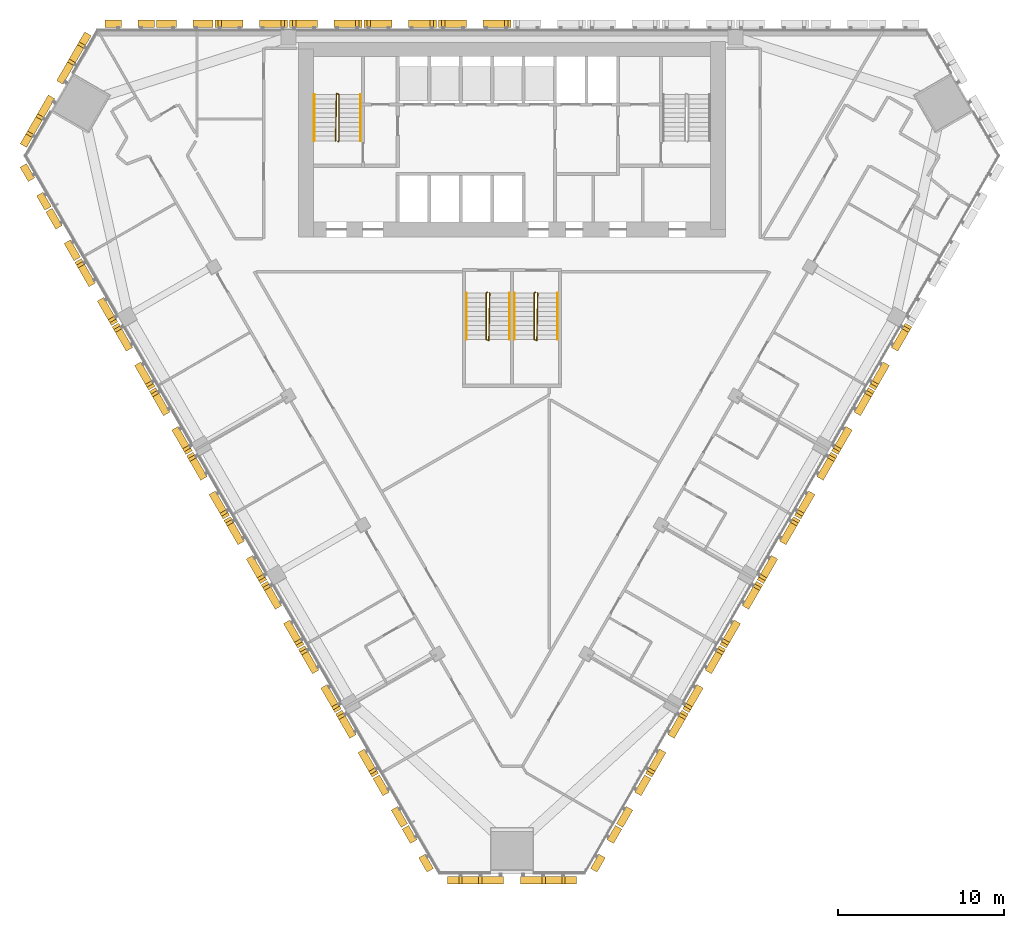
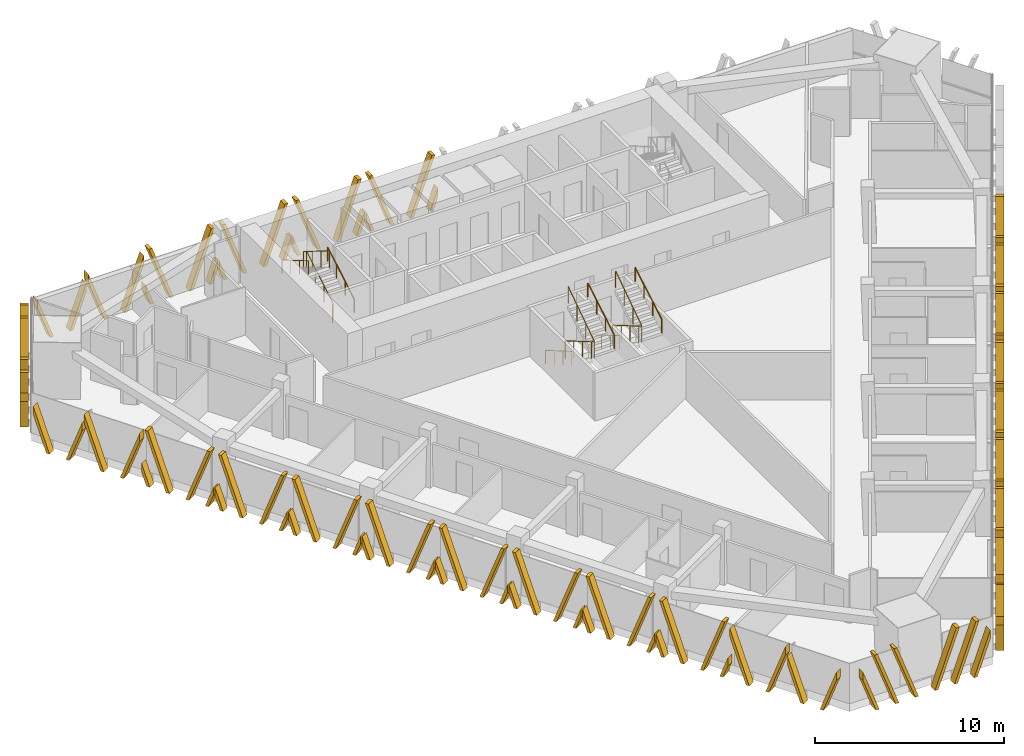
# One storey, part 14 of 16: 29 shading devices, 9 railings.
"""IFC4 building model written with IfcOpenShell, lengths in metres."""

from ifc_helpers import new_model, si_unit, direction, frame, origin, origin_2d, place, context, subcontext, project, spatial, polyline, circle, outline, extrude, source, transform, mapped, material, type_object, element, save


model = new_model("IFC4")

# Units and contexts
model_context = context("Model", 3, precision=1e-05, world=origin(), true_north=direction((0.0, 1.0)))
body_context = subcontext(model_context, "Body", "Model", "MODEL_VIEW")
ifc_project = project(units=[si_unit("LENGTHUNIT", "METRE"), si_unit("AREAUNIT", "SQUARE_METRE"), si_unit("VOLUMEUNIT", "CUBIC_METRE"), si_unit("PLANEANGLEUNIT", "RADIAN"), si_unit("MASSUNIT", "GRAM", prefix="KILO")], contexts=[model_context])

# Site, building, storey
site_placement = place(None, origin())
site = spatial("IfcSite", under=ifc_project, at=site_placement, CompositionType="ELEMENT")
building_placement = place(site_placement, origin())
building = spatial("IfcBuilding", under=site, at=building_placement, Name="Altiplano Prism Tower", CompositionType="ELEMENT")
storey_placement = place(building_placement, frame((0.0, 0.0, 84.60009765625)))
storey = spatial("IfcBuildingStorey", under=building, at=storey_placement, Name="L21", CompositionType="ELEMENT", Elevation=84.60009765625)

# Railings
ifc_material_1 = material(Name="Steel S355", Category="steel")
railing_type_1 = type_object("IfcRailingType", Name="Stair guard 1100", PredefinedType="GUARDRAIL", material=ifc_material_1)
railing_1_placement = place(storey_placement, frame((74.5, 98.25, 0.0)))
element("IfcRailing", 1, at=railing_1_placement, inside=storey, type_object=railing_type_1, Name="L21 ST1 stair guard 1", PredefinedType="GUARDRAIL", context=body_context, shape_type="SweptSolid", body=[
    extrude(circle(Radius=0.02392578125, at=origin_2d()), frame((0.0, 0.0, 1.076171875), z_axis=(0.280808744504, 0.280808744504, 0.917765164963), x_axis=(-0.707106781187, 0.707106781187, 0.0)), (0.0, 0.0, 1.0), 0.17822265625),
    extrude(circle(Radius=0.02392578125, at=origin_2d()), frame((0.050048828125, 0.050048828125, 1.23974609375), z_axis=(0.0, 0.863393664356, 0.504530851732), x_axis=(-1.0, 0.0, 0.0)), (0.0, 0.0, 1.0), 3.2431640625),
    extrude(circle(Radius=0.02392578125, at=origin_2d()), frame((0.050048828125, 2.85009765625, 2.8759765625), z_axis=(-0.949145278916, 0.314838433982, 0.0), x_axis=(-0.314838433982, -0.949145278916, 0.0)), (0.0, 0.0, 1.0), 0.158203125),
    extrude(circle(Radius=0.02392578125, at=origin_2d()), frame((-0.10009765625, 2.89990234375, 2.8759765625), z_axis=(-0.01477401265, -0.845377694409, 0.533964682676), x_axis=(0.999847325713, -0.01747355902, 0.0)), (0.0, 0.0, 1.0), 3.37109375),
    extrude(circle(Radius=0.02099609375, at=origin_2d()), origin(), (0.0, 0.0, 1.0), 1.052001953125),
    extrude(circle(Radius=0.02099609375, at=origin_2d()), frame((0.050048828125, 0.050048828125, 0.16357421875)), (0.0, 0.0, 1.0), 1.052001953125),
    extrude(circle(Radius=0.02099609375, at=origin_2d()), frame((0.050048828125, 0.9833984375, 0.708984375)), (0.0, 0.0, 1.0), 1.052001953125),
    extrude(circle(Radius=0.02099609375, at=origin_2d()), frame((0.050048828125, 1.916748046875, 1.25439453125)), (0.0, 0.0, 1.0), 1.052001953125),
    extrude(circle(Radius=0.02099609375, at=origin_2d()), frame((0.050048828125, 2.85009765625, 1.7998046875)), (0.0, 0.0, 1.0), 1.052001953125),
    extrude(circle(Radius=0.02099609375, at=origin_2d()), frame((-0.10009765625, 2.89990234375, 1.7998046875)), (0.0, 0.0, 1.0), 1.052001953125),
    extrude(circle(Radius=0.02099609375, at=origin_2d()), frame((-0.11669921875, 1.949951171875, 2.39990234375)), (0.0, 0.0, 1.0), 1.052001953125),
    extrude(circle(Radius=0.02099609375, at=origin_2d()), frame((-0.13330078125, 1.0, 2.999755859375)), (0.0, 0.0, 1.0), 1.052001953125),
    extrude(circle(Radius=0.02099609375, at=origin_2d()), frame((-0.14990234375, 0.050048828125, 3.599853515625)), (0.0, 0.0, 1.0), 1.052001953125),
])
railing_2_placement = place(storey_placement, frame((83.5, 89.14990234375, 0.0)))
element("IfcRailing", 2, at=railing_2_placement, inside=storey, type_object=railing_type_1, Name="L21 ST3A stair guard 1", PredefinedType="GUARDRAIL", context=body_context, shape_type="SweptSolid", body=[
    extrude(circle(Radius=0.02392578125, at=origin_2d()), frame((0.0, 0.0, 1.076171875), z_axis=(-0.280916556609, -0.279546231943, 0.91811752648), x_axis=(0.705375805398, -0.708833529934, 0.0)), (0.0, 0.0, 1.0), 0.17822265625),
    extrude(circle(Radius=0.02392578125, at=origin_2d()), frame((-0.050048828125, -0.0498046875, 1.23974609375), z_axis=(0.0, -0.863393664356, 0.504530851732), x_axis=(1.0, 0.0, 0.0)), (0.0, 0.0, 1.0), 3.2431640625),
    extrude(circle(Radius=0.02392578125, at=origin_2d()), frame((-0.050048828125, -2.849853515625, 2.8759765625), z_axis=(0.948683298051, -0.316227766017, 0.0), x_axis=(0.316227766017, 0.948683298051, 0.0)), (0.0, 0.0, 1.0), 0.158203125),
    extrude(circle(Radius=0.02392578125, at=origin_2d()), frame((0.10009765625, -2.89990234375, 2.8759765625), z_axis=(0.014773108175, 0.84539835705, 0.533931993021), x_axis=(-0.999847351862, 0.017472062685, 0.0)), (0.0, 0.0, 1.0), 3.371337890625),
    extrude(circle(Radius=0.02099609375, at=origin_2d()), origin(), (0.0, 0.0, 1.0), 1.052001953125),
    extrude(circle(Radius=0.02099609375, at=origin_2d()), frame((-0.050048828125, -0.0498046875, 0.16357421875)), (0.0, 0.0, 1.0), 1.052001953125),
    extrude(circle(Radius=0.02099609375, at=origin_2d()), frame((-0.050048828125, -0.983154296875, 0.708984375)), (0.0, 0.0, 1.0), 1.052001953125),
    extrude(circle(Radius=0.02099609375, at=origin_2d()), frame((-0.050048828125, -1.91650390625, 1.25439453125)), (0.0, 0.0, 1.0), 1.052001953125),
    extrude(circle(Radius=0.02099609375, at=origin_2d()), frame((-0.050048828125, -2.849853515625, 1.7998046875)), (0.0, 0.0, 1.0), 1.052001953125),
    extrude(circle(Radius=0.02099609375, at=origin_2d()), frame((0.10009765625, -2.89990234375, 1.7998046875)), (0.0, 0.0, 1.0), 1.052001953125),
    extrude(circle(Radius=0.02099609375, at=origin_2d()), frame((0.11669921875, -1.949951171875, 2.39990234375)), (0.0, 0.0, 1.0), 1.052001953125),
    extrude(circle(Radius=0.02099609375, at=origin_2d()), frame((0.13330078125, -0.999755859375, 2.999755859375)), (0.0, 0.0, 1.0), 1.052001953125),
    extrude(circle(Radius=0.02099609375, at=origin_2d()), frame((0.14990234375, -0.0498046875, 3.599853515625)), (0.0, 0.0, 1.0), 1.052001953125),
])
railing_3_placement = place(storey_placement, frame((86.39990234375, 89.14990234375, 0.0)))
element("IfcRailing", 3, at=railing_3_placement, inside=storey, type_object=railing_type_1, Name="L21 ST3B stair guard 1", PredefinedType="GUARDRAIL", context=body_context, shape_type="SweptSolid", body=[
    extrude(circle(Radius=0.02392578125, at=origin_2d()), frame((0.0, 0.0, 1.076171875), z_axis=(-0.279653641804, -0.279653641804, 0.918470294159), x_axis=(0.707106781187, -0.707106781187, 0.0)), (0.0, 0.0, 1.0), 0.177978515625),
    extrude(circle(Radius=0.02392578125, at=origin_2d()), frame((-0.0498046875, -0.0498046875, 1.23974609375), z_axis=(0.0, -0.863393664356, 0.504530851732), x_axis=(1.0, 0.0, 0.0)), (0.0, 0.0, 1.0), 3.2431640625),
    extrude(circle(Radius=0.02392578125, at=origin_2d()), frame((-0.0498046875, -2.849853515625, 2.8759765625), z_axis=(0.948528701346, -0.316691178788, 0.0), x_axis=(0.316691178788, 0.948528701346, 0.0)), (0.0, 0.0, 1.0), 0.157958984375),
    extrude(circle(Radius=0.02392578125, at=origin_2d()), frame((0.10009765625, -2.89990234375, 2.8759765625), z_axis=(0.014845509451, 0.845397450405, 0.533931420407), x_axis=(-0.999845851991, 0.017557683712, 0.0)), (0.0, 0.0, 1.0), 3.371337890625),
    extrude(circle(Radius=0.02099609375, at=origin_2d()), origin(), (0.0, 0.0, 1.0), 1.052001953125),
    extrude(circle(Radius=0.02099609375, at=origin_2d()), frame((-0.0498046875, -0.0498046875, 0.16357421875)), (0.0, 0.0, 1.0), 1.052001953125),
    extrude(circle(Radius=0.02099609375, at=origin_2d()), frame((-0.0498046875, -0.983154296875, 0.708984375)), (0.0, 0.0, 1.0), 1.052001953125),
    extrude(circle(Radius=0.02099609375, at=origin_2d()), frame((-0.0498046875, -1.91650390625, 1.25439453125)), (0.0, 0.0, 1.0), 1.052001953125),
    extrude(circle(Radius=0.02099609375, at=origin_2d()), frame((-0.0498046875, -2.849853515625, 1.7998046875)), (0.0, 0.0, 1.0), 1.052001953125),
    extrude(circle(Radius=0.02099609375, at=origin_2d()), frame((0.10009765625, -2.89990234375, 1.7998046875)), (0.0, 0.0, 1.0), 1.052001953125),
    extrude(circle(Radius=0.02099609375, at=origin_2d()), frame((0.11669921875, -1.949951171875, 2.39990234375)), (0.0, 0.0, 1.0), 1.052001953125),
    extrude(circle(Radius=0.02099609375, at=origin_2d()), frame((0.133544921875, -0.999755859375, 2.999755859375)), (0.0, 0.0, 1.0), 1.052001953125),
    extrude(circle(Radius=0.02099609375, at=origin_2d()), frame((0.150146484375, -0.0498046875, 3.599853515625)), (0.0, 0.0, 1.0), 1.052001953125),
])
railing_type_2 = type_object("IfcRailingType", Name="Stair handrail 900", PredefinedType="HANDRAIL", material=ifc_material_1)
railing_4_placement = place(storey_placement, frame((75.85009765625, 98.300048828125, 0.16357421875)))
element("IfcRailing", 4, at=railing_4_placement, inside=storey, type_object=railing_type_2, Name="L21 ST1 stair handrail 1", PredefinedType="HANDRAIL", context=body_context, shape_type="SweptSolid", body=[
    extrude(circle(Radius=0.02392578125, at=origin_2d()), frame((0.0, 0.0, 0.8759765625), z_axis=(0.0, 0.863393664356, 0.504530851732), x_axis=(-1.0, 0.0, 0.0)), (0.0, 0.0, 1.0), 3.2431640625),
    extrude(circle(Radius=0.02099609375, at=origin_2d()), origin(), (0.0, 0.0, 1.0), 0.851806640625),
    extrude(circle(Radius=0.02099609375, at=origin_2d()), frame((0.0, 0.933349609375, 0.54541015625)), (0.0, 0.0, 1.0), 0.851806640625),
    extrude(circle(Radius=0.02099609375, at=origin_2d()), frame((0.0, 1.86669921875, 1.0908203125)), (0.0, 0.0, 1.0), 0.851806640625),
    extrude(circle(Radius=0.02099609375, at=origin_2d()), frame((0.0, 2.800048828125, 1.63623046875)), (0.0, 0.0, 1.0), 0.851806640625),
])
for number, where, name in (
    (5, (73.050048828125, 101.10009765625, 1.963623046875), "L21 ST1 stair handrail 2"),
    (6, (82.25, 89.10009765625, 0.16357421875), "L21 ST3A stair handrail 1"),
):
    element("IfcRailing", number, at=place(storey_placement, frame(where)), inside=storey, type_object=railing_type_2, Name=name, PredefinedType="HANDRAIL", context=body_context, shape_type="SweptSolid", body=[
        extrude(circle(Radius=0.02392578125, at=origin_2d()), frame((0.0, 0.0, 0.8759765625), z_axis=(0.0, -0.863393664356, 0.504530851732), x_axis=(1.0, 0.0, 0.0)), (0.0, 0.0, 1.0), 3.2431640625),
        extrude(circle(Radius=0.02099609375, at=origin_2d()), origin(), (0.0, 0.0, 1.0), 0.851806640625),
        extrude(circle(Radius=0.02099609375, at=origin_2d()), frame((0.0, -0.933349609375, 0.54541015625)), (0.0, 0.0, 1.0), 0.851806640625),
        extrude(circle(Radius=0.02099609375, at=origin_2d()), frame((0.0, -1.86669921875, 1.0908203125)), (0.0, 0.0, 1.0), 0.851806640625),
        extrude(circle(Radius=0.02099609375, at=origin_2d()), frame((0.0, -2.800048828125, 1.63623046875)), (0.0, 0.0, 1.0), 0.851806640625),
    ])
railing_5_placement = place(storey_placement, frame((84.85009765625, 86.300048828125, 1.963623046875)))
element("IfcRailing", 7, at=railing_5_placement, inside=storey, type_object=railing_type_2, Name="L21 ST3A stair handrail 2", PredefinedType="HANDRAIL", context=body_context, shape_type="SweptSolid", body=[
    extrude(circle(Radius=0.02392578125, at=origin_2d()), frame((0.0, 0.0, 0.8759765625), z_axis=(0.0, 0.863393664356, 0.504530851732), x_axis=(-1.0, 0.0, 0.0)), (0.0, 0.0, 1.0), 3.2431640625),
    extrude(circle(Radius=0.02099609375, at=origin_2d()), origin(), (0.0, 0.0, 1.0), 0.851806640625),
    extrude(circle(Radius=0.02099609375, at=origin_2d()), frame((0.0, 0.933349609375, 0.54541015625)), (0.0, 0.0, 1.0), 0.851806640625),
    extrude(circle(Radius=0.02099609375, at=origin_2d()), frame((0.0, 1.86669921875, 1.0908203125)), (0.0, 0.0, 1.0), 0.851806640625),
    extrude(circle(Radius=0.02099609375, at=origin_2d()), frame((0.0, 2.800048828125, 1.63623046875)), (0.0, 0.0, 1.0), 0.851806640625),
])
railing_6_placement = place(storey_placement, frame((85.14990234375, 89.10009765625, 0.16357421875)))
element("IfcRailing", 8, at=railing_6_placement, inside=storey, type_object=railing_type_2, Name="L21 ST3B stair handrail 1", PredefinedType="HANDRAIL", context=body_context, shape_type="SweptSolid", body=[
    extrude(circle(Radius=0.02392578125, at=origin_2d()), frame((0.0, 0.0, 0.8759765625), z_axis=(0.0, -0.863393664356, 0.504530851732), x_axis=(1.0, 0.0, 0.0)), (0.0, 0.0, 1.0), 3.2431640625),
    extrude(circle(Radius=0.02099609375, at=origin_2d()), origin(), (0.0, 0.0, 1.0), 0.851806640625),
    extrude(circle(Radius=0.02099609375, at=origin_2d()), frame((0.0, -0.933349609375, 0.54541015625)), (0.0, 0.0, 1.0), 0.851806640625),
    extrude(circle(Radius=0.02099609375, at=origin_2d()), frame((0.0, -1.86669921875, 1.0908203125)), (0.0, 0.0, 1.0), 0.851806640625),
    extrude(circle(Radius=0.02099609375, at=origin_2d()), frame((0.0, -2.800048828125, 1.63623046875)), (0.0, 0.0, 1.0), 0.851806640625),
])
railing_7_placement = place(storey_placement, frame((87.75, 86.300048828125, 1.963623046875)))
element("IfcRailing", 9, at=railing_7_placement, inside=storey, type_object=railing_type_2, Name="L21 ST3B stair handrail 2", PredefinedType="HANDRAIL", context=body_context, shape_type="SweptSolid", body=[
    extrude(circle(Radius=0.02392578125, at=origin_2d()), frame((0.0, 0.0, 0.8759765625), z_axis=(0.0, 0.863393664356, 0.504530851732), x_axis=(-1.0, 0.0, 0.0)), (0.0, 0.0, 1.0), 3.2431640625),
    extrude(circle(Radius=0.02099609375, at=origin_2d()), origin(), (0.0, 0.0, 1.0), 0.851806640625),
    extrude(circle(Radius=0.02099609375, at=origin_2d()), frame((0.0, 0.933349609375, 0.54541015625)), (0.0, 0.0, 1.0), 0.851806640625),
    extrude(circle(Radius=0.02099609375, at=origin_2d()), frame((0.0, 1.86669921875, 1.0908203125)), (0.0, 0.0, 1.0), 0.851806640625),
    extrude(circle(Radius=0.02099609375, at=origin_2d()), frame((0.0, 2.800048828125, 1.63623046875)), (0.0, 0.0, 1.0), 0.851806640625),
])

# Shading devices
ifc_material_2 = material(Name="Warm limestone cast stone", Category="masonry")
shading_device_type_1 = type_object("IfcShadingDeviceType", Name="Stone fin panel, standard unit", PredefinedType="USERDEFINED", material=ifc_material_2)
shared_shape_1 = source(origin(), body_context, "Body", "SweptSolid", [
    extrude(outline(polyline([(-2.199951171875, 1.373779296875), (-2.199951171875, 0.82421875), (-1.89990234375, 0.0), (-1.699951171875, 0.0), (-2.199951171875, 1.373779296875)])), frame((0.0, -0.14990234375, 0.0), z_axis=(0.0, -1.0, 0.0), x_axis=(1.0, 0.0, 0.0)), (0.0, 0.0, 1.0), 0.4501953125),
    extrude(outline(polyline([(-2.01025390625, 3.60009765625), (-0.699951171875, 0.0), (-0.5, 0.0), (-1.810302734375, 3.60009765625), (-2.01025390625, 3.60009765625)])), frame((0.0, -0.14990234375, 0.0), z_axis=(0.0, -1.0, 0.0), x_axis=(1.0, 0.0, 0.0)), (0.0, 0.0, 1.0), 0.4501953125),
    extrude(outline(polyline([(1.810302734375, 3.60009765625), (0.5, 0.0), (0.699951171875, 0.0), (2.01025390625, 3.60009765625), (1.810302734375, 3.60009765625)])), frame((0.0, -0.14990234375, 0.0), z_axis=(0.0, -1.0, 0.0), x_axis=(1.0, 0.0, 0.0)), (0.0, 0.0, 1.0), 0.4501953125),
    extrude(outline(polyline([(2.199951171875, 0.82421875), (2.199951171875, 1.373779296875), (1.699951171875, 0.0), (1.89990234375, 0.0), (2.199951171875, 0.82421875)])), frame((0.0, -0.14990234375, 0.0), z_axis=(0.0, -1.0, 0.0), x_axis=(1.0, 0.0, 0.0)), (0.0, 0.0, 1.0), 0.4501953125),
])
shading_device_1_placement = place(storey_placement, origin())
element("IfcShadingDevice", 10, at=shading_device_1_placement, inside=storey, type_object=shading_device_type_1, Name="Fin L21 north face 7", ObjectType="FIN", PredefinedType="USERDEFINED", context=body_context, shape_type="MappedRepresentation", body=[
    mapped(shared_shape_1, transform((82.75, 105.0, -0.5), x_axis=(-1.0, 0.0, 0.0), y_axis=(0.0, -1.0, 0.0), z_axis=(0.0, 0.0, 1.0))),
])
shading_device_2_placement = place(storey_placement, origin())
element("IfcShadingDevice", 11, at=shading_device_2_placement, inside=storey, type_object=shading_device_type_1, Name="Fin L21 north face 8", ObjectType="FIN", PredefinedType="USERDEFINED", context=body_context, shape_type="MappedRepresentation", body=[
    mapped(shared_shape_1, transform((78.25, 105.0, -0.5), x_axis=(-1.0, 0.0, 0.0), y_axis=(0.0, -1.0, 0.0), z_axis=(0.0, 0.0, 1.0))),
])
shading_device_3_placement = place(storey_placement, origin())
element("IfcShadingDevice", 12, at=shading_device_3_placement, inside=storey, type_object=shading_device_type_1, Name="Fin L21 north face 9", ObjectType="FIN", PredefinedType="USERDEFINED", context=body_context, shape_type="MappedRepresentation", body=[
    mapped(shared_shape_1, transform((73.75, 105.0, -0.5), x_axis=(-1.0, 0.0, 0.0), y_axis=(0.0, -1.0, 0.0), z_axis=(0.0, 0.0, 1.0))),
])
shading_device_4_placement = place(storey_placement, origin())
element("IfcShadingDevice", 13, at=shading_device_4_placement, inside=storey, type_object=shading_device_type_1, Name="Fin L21 north face 10", ObjectType="FIN", PredefinedType="USERDEFINED", context=body_context, shape_type="MappedRepresentation", body=[
    mapped(shared_shape_1, transform((69.25, 105.0, -0.5), x_axis=(-1.0, 0.0, 0.0), y_axis=(0.0, -1.0, 0.0), z_axis=(0.0, 0.0, 1.0))),
])
shading_device_5_placement = place(storey_placement, origin())
element("IfcShadingDevice", 14, at=shading_device_5_placement, inside=storey, type_object=shading_device_type_1, Name="Fin L21 south-west face 3", ObjectType="FIN", PredefinedType="USERDEFINED", context=body_context, shape_type="MappedRepresentation", body=[
    mapped(shared_shape_1, transform((60.21826171875, 89.356689453125, -0.5), x_axis=(0.500000008072, -0.866025399124, 0.0), y_axis=(0.866025399124, 0.500000008072, 0.0), z_axis=(0.0, 0.0, 1.0))),
])
shading_device_6_placement = place(storey_placement, origin())
element("IfcShadingDevice", 15, at=shading_device_6_placement, inside=storey, type_object=shading_device_type_1, Name="Fin L21 south-west face 4", ObjectType="FIN", PredefinedType="USERDEFINED", context=body_context, shape_type="MappedRepresentation", body=[
    mapped(shared_shape_1, transform((62.46826171875, 85.45947265625, -0.5), x_axis=(0.500000008072, -0.866025399124, 0.0), y_axis=(0.866025399124, 0.500000008072, 0.0), z_axis=(0.0, 0.0, 1.0))),
])
shading_device_7_placement = place(storey_placement, origin())
element("IfcShadingDevice", 16, at=shading_device_7_placement, inside=storey, type_object=shading_device_type_1, Name="Fin L21 south-west face 5", ObjectType="FIN", PredefinedType="USERDEFINED", context=body_context, shape_type="MappedRepresentation", body=[
    mapped(shared_shape_1, transform((64.71826171875, 81.5625, -0.5), x_axis=(0.500000008072, -0.866025399124, 0.0), y_axis=(0.866025399124, 0.500000008072, 0.0), z_axis=(0.0, 0.0, 1.0))),
])
shading_device_8_placement = place(storey_placement, origin())
element("IfcShadingDevice", 17, at=shading_device_8_placement, inside=storey, type_object=shading_device_type_1, Name="Fin L21 south-west face 6", ObjectType="FIN", PredefinedType="USERDEFINED", context=body_context, shape_type="MappedRepresentation", body=[
    mapped(shared_shape_1, transform((66.96826171875, 77.665283203125, -0.5), x_axis=(0.500000008072, -0.866025399124, 0.0), y_axis=(0.866025399124, 0.500000008072, 0.0), z_axis=(0.0, 0.0, 1.0))),
])
shading_device_9_placement = place(storey_placement, origin())
element("IfcShadingDevice", 18, at=shading_device_9_placement, inside=storey, type_object=shading_device_type_1, Name="Fin L21 south-west face 7", ObjectType="FIN", PredefinedType="USERDEFINED", context=body_context, shape_type="MappedRepresentation", body=[
    mapped(shared_shape_1, transform((69.21826171875, 73.76806640625, -0.5), x_axis=(0.500000008072, -0.866025399124, 0.0), y_axis=(0.866025399124, 0.500000008072, 0.0), z_axis=(0.0, 0.0, 1.0))),
])
shading_device_10_placement = place(storey_placement, origin())
element("IfcShadingDevice", 19, at=shading_device_10_placement, inside=storey, type_object=shading_device_type_1, Name="Fin L21 south-west face 8", ObjectType="FIN", PredefinedType="USERDEFINED", context=body_context, shape_type="MappedRepresentation", body=[
    mapped(shared_shape_1, transform((71.46826171875, 69.87109375, -0.5), x_axis=(0.500000008072, -0.866025399124, 0.0), y_axis=(0.866025399124, 0.500000008072, 0.0), z_axis=(0.0, 0.0, 1.0))),
])
shading_device_11_placement = place(storey_placement, origin())
element("IfcShadingDevice", 20, at=shading_device_11_placement, inside=storey, type_object=shading_device_type_1, Name="Fin L21 south-west face 9", ObjectType="FIN", PredefinedType="USERDEFINED", context=body_context, shape_type="MappedRepresentation", body=[
    mapped(shared_shape_1, transform((73.71826171875, 65.973876953125, -0.5), x_axis=(0.500000008072, -0.866025399124, 0.0), y_axis=(0.866025399124, 0.500000008072, 0.0), z_axis=(0.0, 0.0, 1.0))),
])
shading_device_12_placement = place(storey_placement, origin())
element("IfcShadingDevice", 21, at=shading_device_12_placement, inside=storey, type_object=shading_device_type_1, Name="Fin L21 south-west face 10", ObjectType="FIN", PredefinedType="USERDEFINED", context=body_context, shape_type="MappedRepresentation", body=[
    mapped(shared_shape_1, transform((75.96826171875, 62.076904296875, -0.5), x_axis=(0.500000008072, -0.866025399124, 0.0), y_axis=(0.866025399124, 0.500000008072, 0.0), z_axis=(0.0, 0.0, 1.0))),
])
shading_device_13_placement = place(storey_placement, origin())
element("IfcShadingDevice", 22, at=shading_device_13_placement, inside=storey, type_object=shading_device_type_1, Name="Fin L21 south-east face 3", ObjectType="FIN", PredefinedType="USERDEFINED", context=body_context, shape_type="MappedRepresentation", body=[
    mapped(shared_shape_1, transform((94.03173828125, 62.076904296875, -0.5), x_axis=(0.500000008072, 0.866025399124, 0.0), y_axis=(-0.866025399124, 0.500000008072, 0.0), z_axis=(0.0, 0.0, 1.0))),
])
shading_device_14_placement = place(storey_placement, origin())
element("IfcShadingDevice", 23, at=shading_device_14_placement, inside=storey, type_object=shading_device_type_1, Name="Fin L21 south-east face 4", ObjectType="FIN", PredefinedType="USERDEFINED", context=body_context, shape_type="MappedRepresentation", body=[
    mapped(shared_shape_1, transform((96.28173828125, 65.973876953125, -0.5), x_axis=(0.500000008072, 0.866025399124, 0.0), y_axis=(-0.866025399124, 0.500000008072, 0.0), z_axis=(0.0, 0.0, 1.0))),
])
shading_device_15_placement = place(storey_placement, origin())
element("IfcShadingDevice", 24, at=shading_device_15_placement, inside=storey, type_object=shading_device_type_1, Name="Fin L21 south-east face 5", ObjectType="FIN", PredefinedType="USERDEFINED", context=body_context, shape_type="MappedRepresentation", body=[
    mapped(shared_shape_1, transform((98.53173828125, 69.87109375, -0.5), x_axis=(0.500000008072, 0.866025399124, 0.0), y_axis=(-0.866025399124, 0.500000008072, 0.0), z_axis=(0.0, 0.0, 1.0))),
])
shading_device_16_placement = place(storey_placement, origin())
element("IfcShadingDevice", 25, at=shading_device_16_placement, inside=storey, type_object=shading_device_type_1, Name="Fin L21 south-east face 6", ObjectType="FIN", PredefinedType="USERDEFINED", context=body_context, shape_type="MappedRepresentation", body=[
    mapped(shared_shape_1, transform((100.78173828125, 73.76806640625, -0.5), x_axis=(0.500000008072, 0.866025399124, 0.0), y_axis=(-0.866025399124, 0.500000008072, 0.0), z_axis=(0.0, 0.0, 1.0))),
])
shading_device_17_placement = place(storey_placement, origin())
element("IfcShadingDevice", 26, at=shading_device_17_placement, inside=storey, type_object=shading_device_type_1, Name="Fin L21 south-east face 7", ObjectType="FIN", PredefinedType="USERDEFINED", context=body_context, shape_type="MappedRepresentation", body=[
    mapped(shared_shape_1, transform((103.03173828125, 77.665283203125, -0.5), x_axis=(0.500000008072, 0.866025399124, 0.0), y_axis=(-0.866025399124, 0.500000008072, 0.0), z_axis=(0.0, 0.0, 1.0))),
])
shading_device_18_placement = place(storey_placement, origin())
element("IfcShadingDevice", 27, at=shading_device_18_placement, inside=storey, type_object=shading_device_type_1, Name="Fin L21 south-east face 8", ObjectType="FIN", PredefinedType="USERDEFINED", context=body_context, shape_type="MappedRepresentation", body=[
    mapped(shared_shape_1, transform((105.28173828125, 81.5625, -0.5), x_axis=(0.500000008072, 0.866025399124, 0.0), y_axis=(-0.866025399124, 0.500000008072, 0.0), z_axis=(0.0, 0.0, 1.0))),
])
shading_device_19_placement = place(storey_placement, origin())
element("IfcShadingDevice", 28, at=shading_device_19_placement, inside=storey, type_object=shading_device_type_1, Name="Fin L21 south-east face 9", ObjectType="FIN", PredefinedType="USERDEFINED", context=body_context, shape_type="MappedRepresentation", body=[
    mapped(shared_shape_1, transform((107.53173828125, 85.45947265625, -0.5), x_axis=(0.500000008072, 0.866025399124, 0.0), y_axis=(-0.866025399124, 0.500000008072, 0.0), z_axis=(0.0, 0.0, 1.0))),
])
shading_device_type_2 = type_object("IfcShadingDeviceType", Name="Stone fin panel, narrow closing bay", PredefinedType="USERDEFINED", material=ifc_material_2)
shared_shape_2 = source(origin(), body_context, "Body", "SweptSolid", [
    extrude(outline(polyline([(-1.699951171875, 3.297119140625), (-1.699951171875, 2.74755859375), (-0.699951171875, 0.0), (-0.5, 0.0), (-1.699951171875, 3.297119140625)])), frame((0.0, -0.14990234375, 0.0), z_axis=(0.0, -1.0, 0.0), x_axis=(1.0, 0.0, 0.0)), (0.0, 0.0, 1.0), 0.4501953125),
    extrude(outline(polyline([(1.699951171875, 2.74755859375), (1.699951171875, 3.297119140625), (0.5, 0.0), (0.699951171875, 0.0), (1.699951171875, 2.74755859375)])), frame((0.0, -0.14990234375, 0.0), z_axis=(0.0, -1.0, 0.0), x_axis=(1.0, 0.0, 0.0)), (0.0, 0.0, 1.0), 0.4501953125),
])
shading_device_20_placement = place(storey_placement, origin())
element("IfcShadingDevice", 29, at=shading_device_20_placement, inside=storey, type_object=shading_device_type_2, Name="Fin L21 north face 11", ObjectType="FIN", PredefinedType="USERDEFINED", context=body_context, shape_type="MappedRepresentation", body=[
    mapped(shared_shape_2, transform((65.23876953125, 105.0, -0.5), x_axis=(-1.0, 0.0, 0.0), y_axis=(0.0, -1.0, 0.0), z_axis=(0.0, 0.0, 1.0))),
])
shading_device_21_placement = place(storey_placement, origin())
element("IfcShadingDevice", 30, at=shading_device_21_placement, inside=storey, type_object=shading_device_type_2, Name="Fin L21 south-west face 2", ObjectType="FIN", PredefinedType="USERDEFINED", context=body_context, shape_type="MappedRepresentation", body=[
    mapped(shared_shape_2, transform((58.212646484375, 92.83056640625, -0.5), x_axis=(0.500000008072, -0.866025399124, 0.0), y_axis=(0.866025399124, 0.500000008072, 0.0), z_axis=(0.0, 0.0, 1.0))),
])
shading_device_22_placement = place(storey_placement, origin())
element("IfcShadingDevice", 31, at=shading_device_22_placement, inside=storey, type_object=shading_device_type_2, Name="Fin L21 south-west face 11", ObjectType="FIN", PredefinedType="USERDEFINED", context=body_context, shape_type="MappedRepresentation", body=[
    mapped(shared_shape_2, transform((77.973876953125, 58.60302734375, -0.5), x_axis=(0.500000008072, -0.866025399124, 0.0), y_axis=(0.866025399124, 0.500000008072, 0.0), z_axis=(0.0, 0.0, 1.0))),
])
shading_device_23_placement = place(storey_placement, origin())
element("IfcShadingDevice", 32, at=shading_device_23_placement, inside=storey, type_object=shading_device_type_2, Name="Fin L21 south-east face 2", ObjectType="FIN", PredefinedType="USERDEFINED", context=body_context, shape_type="MappedRepresentation", body=[
    mapped(shared_shape_2, transform((92.026123046875, 58.60302734375, -0.5), x_axis=(0.500000008072, 0.866025399124, 0.0), y_axis=(-0.866025399124, 0.500000008072, 0.0), z_axis=(0.0, 0.0, 1.0))),
])
shared_shape_3 = source(origin(), body_context, "Body", "SweptSolid", [
    extrude(outline(polyline([(-1.5, 2.74755859375), (-1.5, 2.197998046875), (-0.699951171875, 0.0), (-0.5, 0.0), (-1.5, 2.74755859375)])), frame((0.0, -0.14990234375, 0.0), z_axis=(0.0, -1.0, 0.0), x_axis=(1.0, 0.0, 0.0)), (0.0, 0.0, 1.0), 0.4501953125),
    extrude(outline(polyline([(1.5, 2.197998046875), (1.5, 2.74755859375), (0.5, 0.0), (0.699951171875, 0.0), (1.5, 2.197998046875)])), frame((0.0, -0.14990234375, 0.0), z_axis=(0.0, -1.0, 0.0), x_axis=(1.0, 0.0, 0.0)), (0.0, 0.0, 1.0), 0.4501953125),
])
shading_device_24_placement = place(storey_placement, origin())
element("IfcShadingDevice", 33, at=shading_device_24_placement, inside=storey, type_object=shading_device_type_2, Name="Fin L21 north face 12", ObjectType="FIN", PredefinedType="USERDEFINED", context=body_context, shape_type="MappedRepresentation", body=[
    mapped(shared_shape_3, transform((61.916259765625, 105.0, -0.5), x_axis=(-1.0, 0.0, 0.0), y_axis=(0.0, -1.0, 0.0), z_axis=(0.0, 0.0, 1.0))),
])
shading_device_25_placement = place(storey_placement, origin())
element("IfcShadingDevice", 34, at=shading_device_25_placement, inside=storey, type_object=shading_device_type_2, Name="Fin L21 south-west face 1", ObjectType="FIN", PredefinedType="USERDEFINED", context=body_context, shape_type="MappedRepresentation", body=[
    mapped(shared_shape_3, transform((56.551513671875, 95.707763671875, -0.5), x_axis=(0.500000008072, -0.866025399124, 0.0), y_axis=(0.866025399124, 0.500000008072, 0.0), z_axis=(0.0, 0.0, 1.0))),
])
shading_device_26_placement = place(storey_placement, origin())
element("IfcShadingDevice", 35, at=shading_device_26_placement, inside=storey, type_object=shading_device_type_2, Name="Fin L21 south-west face 12", ObjectType="FIN", PredefinedType="USERDEFINED", context=body_context, shape_type="MappedRepresentation", body=[
    mapped(shared_shape_3, transform((79.63525390625, 55.7255859375, -0.5), x_axis=(0.500000008072, -0.866025399124, 0.0), y_axis=(0.866025399124, 0.500000008072, 0.0), z_axis=(0.0, 0.0, 1.0))),
])
shading_device_27_placement = place(storey_placement, origin())
element("IfcShadingDevice", 36, at=shading_device_27_placement, inside=storey, type_object=shading_device_type_2, Name="Fin L21 south-east face 1", ObjectType="FIN", PredefinedType="USERDEFINED", context=body_context, shape_type="MappedRepresentation", body=[
    mapped(shared_shape_3, transform((90.36474609375, 55.7255859375, -0.5), x_axis=(0.500000008072, 0.866025399124, 0.0), y_axis=(-0.866025399124, 0.500000008072, 0.0), z_axis=(0.0, 0.0, 1.0))),
])
shading_device_type_3 = type_object("IfcShadingDeviceType", Name="Stone fin panel, chamfer unit", PredefinedType="USERDEFINED", material=ifc_material_2)
shared_shape_4 = source(origin(), body_context, "Body", "SweptSolid", [
    extrude(outline(polyline([(-3.89990234375, 2.74755859375), (-3.89990234375, 2.197998046875), (-3.10009765625, 0.0), (-2.89990234375, 0.0), (-3.89990234375, 2.74755859375)])), frame((0.0, -0.14990234375, 0.0), z_axis=(0.0, -1.0, 0.0), x_axis=(1.0, 0.0, 0.0)), (0.0, 0.0, 1.0), 0.4501953125),
    extrude(outline(polyline([(-3.210205078125, 3.60009765625), (-1.89990234375, 0.0), (-1.699951171875, 0.0), (-3.01025390625, 3.60009765625), (-3.210205078125, 3.60009765625)])), frame((0.0, -0.14990234375, 0.0), z_axis=(0.0, -1.0, 0.0), x_axis=(1.0, 0.0, 0.0)), (0.0, 0.0, 1.0), 0.4501953125),
    extrude(outline(polyline([(-2.01025390625, 3.60009765625), (-0.699951171875, 0.0), (-0.5, 0.0), (-1.810302734375, 3.60009765625), (-2.01025390625, 3.60009765625)])), frame((0.0, -0.14990234375, 0.0), z_axis=(0.0, -1.0, 0.0), x_axis=(1.0, 0.0, 0.0)), (0.0, 0.0, 1.0), 0.4501953125),
    extrude(outline(polyline([(1.810302734375, 3.60009765625), (0.5, 0.0), (0.699951171875, 0.0), (2.01025390625, 3.60009765625), (1.810302734375, 3.60009765625)])), frame((0.0, -0.14990234375, 0.0), z_axis=(0.0, -1.0, 0.0), x_axis=(1.0, 0.0, 0.0)), (0.0, 0.0, 1.0), 0.4501953125),
    extrude(outline(polyline([(3.01025390625, 3.60009765625), (1.699951171875, 0.0), (1.89990234375, 0.0), (3.210205078125, 3.60009765625), (3.01025390625, 3.60009765625)])), frame((0.0, -0.14990234375, 0.0), z_axis=(0.0, -1.0, 0.0), x_axis=(1.0, 0.0, 0.0)), (0.0, 0.0, 1.0), 0.4501953125),
    extrude(outline(polyline([(3.89990234375, 2.197998046875), (3.89990234375, 2.74755859375), (2.89990234375, 0.0), (3.10009765625, 0.0), (3.89990234375, 2.197998046875)])), frame((0.0, -0.14990234375, 0.0), z_axis=(0.0, -1.0, 0.0), x_axis=(1.0, 0.0, 0.0)), (0.0, 0.0, 1.0), 0.4501953125),
])
shading_device_28_placement = place(storey_placement, origin())
element("IfcShadingDevice", 37, at=shading_device_28_placement, inside=storey, type_object=shading_device_type_3, Name="Fin L21 north-west chamfer 1", ObjectType="FIN", PredefinedType="USERDEFINED", context=body_context, shape_type="MappedRepresentation", body=[
    mapped(shared_shape_4, transform((57.762939453125, 101.203125, -0.5), x_axis=(-0.499999935885, -0.866025440801, 0.0), y_axis=(0.866025440801, -0.499999935885, 0.0), z_axis=(0.0, 0.0, 1.0))),
])
shading_device_29_placement = place(storey_placement, origin())
element("IfcShadingDevice", 38, at=shading_device_29_placement, inside=storey, type_object=shading_device_type_3, Name="Fin L21 south chamfer 1", ObjectType="FIN", PredefinedType="USERDEFINED", context=body_context, shape_type="MappedRepresentation", body=[
    mapped(shared_shape_4, transform((85.0, 54.027099609375, -0.5), x_axis=(1.0, 0.0, 0.0), y_axis=(0.0, 1.0, 0.0), z_axis=(0.0, 0.0, 1.0))),
])

save(model, "model.ifc")
